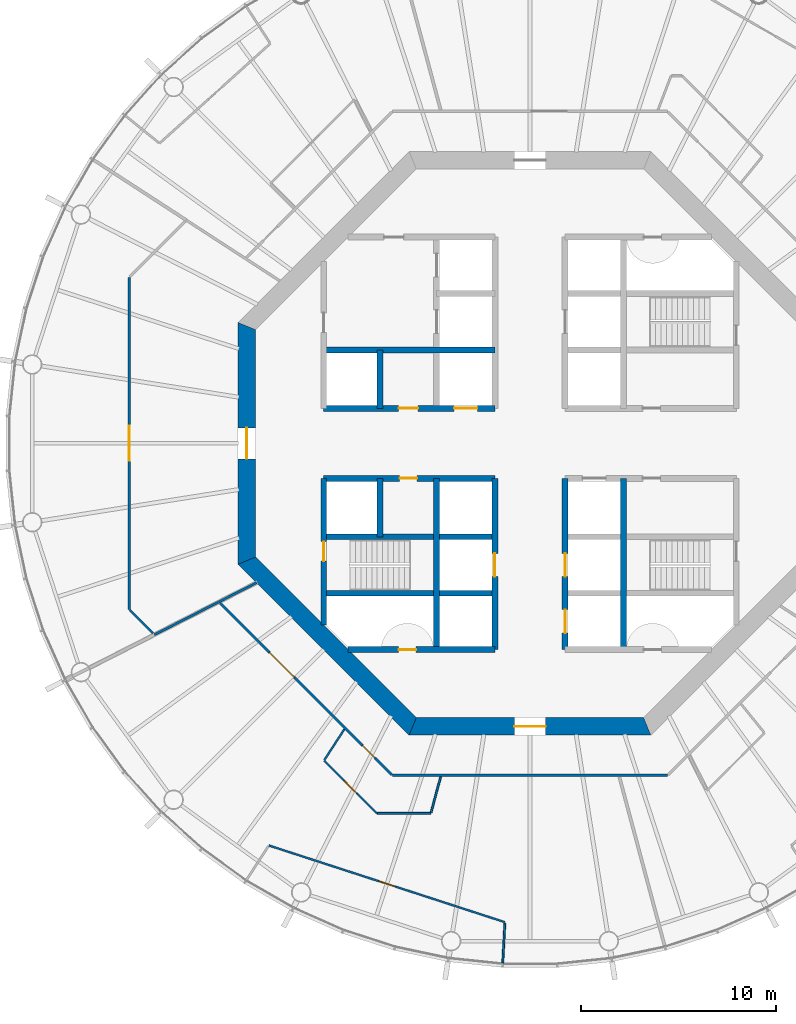
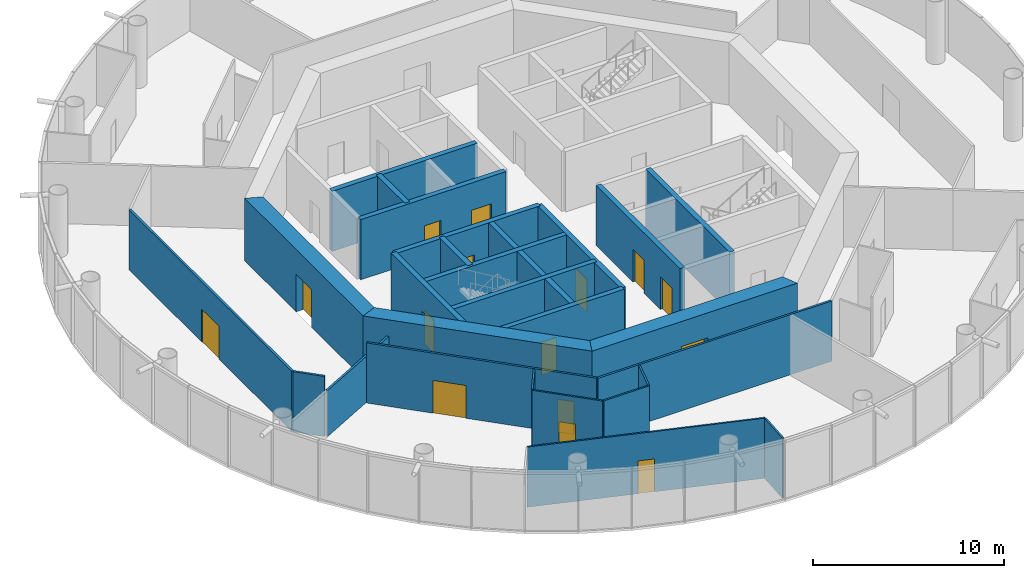
# One storey, part 3 of 13: 27 walls, 15 doors, 15 openings.
"""IFC4 building model written with IfcOpenShell, lengths in metres."""

import ifcopenshell
import ifcopenshell.guid

model = None  # the IFC model being written
_history = None  # IfcOwnerHistory: only IFC2X3 demands one
_inside = {}  # id of a spatial element -> (the spatial element, [elements in it])
_under = {}  # id of a project, library or spatial element -> (it, [spatial elements below it])
_declared = {}  # id of a project -> (the project, [libraries it declares])
_typed = {}  # id of a type object -> (the type object, [elements of that type])
_made_of = {}  # id of a material, layer set ... -> (it, [elements and type objects made of it])


def new_model(schema):
    """Start an empty IFC model of exactly this schema.

    Asked for "IFC4X3", IfcOpenShell would pick the latest addendum, in which some entities
    have other attributes; the version numbers below select the first issue.
    IFC2X3 requires an IfcOwnerHistory on every rooted entity: one is made here for all.
    """
    global model, _history
    if schema == "IFC4X3":
        model = ifcopenshell.file(schema_version=(4, 3, 0, 0))
    else:
        model = ifcopenshell.file(schema=schema)
    _inside.clear()
    _under.clear()
    _declared.clear()
    _typed.clear()
    _made_of.clear()
    _history = None
    if model.schema == "IFC2X3":
        org = make("IfcOrganization", Name="unknown")
        user = make(
            "IfcPersonAndOrganization",
            ThePerson=make("IfcPerson", FamilyName="unknown"),
            TheOrganization=org,
        )
        app = make(
            "IfcApplication",
            ApplicationDeveloper=org,
            Version="unknown",
            ApplicationFullName="unknown",
            ApplicationIdentifier="unknown",
        )
        _history = make(
            "IfcOwnerHistory",
            OwningUser=user,
            OwningApplication=app,
            ChangeAction="ADDED",
            CreationDate=0,
        )
    return model


def make(cls, **values):
    """One entity of the class cls with the attributes given. An attribute that is None is left unset."""
    return model.create_entity(
        cls, **{name: value for name, value in values.items() if value is not None}
    )


def rooted(cls, **values):
    """An entity with a GlobalId (a new one), such as an element, a storey or a relation."""
    return make(cls, GlobalId=ifcopenshell.guid.new(), OwnerHistory=_history, **values)


def si_unit(unit_type, name, prefix=None):
    """IfcSIUnit, for example si_unit("LENGTHUNIT", "METRE", prefix="MILLI")."""
    return make("IfcSIUnit", UnitType=unit_type, Prefix=prefix, Name=name)


def assignment(units):
    """IfcUnitAssignment: the units of a project."""
    return None if units is None else make("IfcUnitAssignment", Units=units)


def point(xyz):
    """IfcCartesianPoint."""
    return None if xyz is None else make("IfcCartesianPoint", Coordinates=xyz)


def direction(xyz):
    """IfcDirection."""
    return None if xyz is None else make("IfcDirection", DirectionRatios=xyz)


def frame(location, z_axis=None, x_axis=None):
    """IfcAxis2Placement3D, a coordinate frame: its origin and axes. An axis left out is left unset."""
    return make(
        "IfcAxis2Placement3D",
        Location=point(location),
        Axis=direction(z_axis),
        RefDirection=direction(x_axis),
    )


def frame_2d(location, x_axis=None):
    """IfcAxis2Placement2D, a coordinate frame in the plane: its origin and x axis."""
    return make(
        "IfcAxis2Placement2D", Location=point(location), RefDirection=direction(x_axis)
    )


def origin():
    """The frame at (0, 0, 0) with its axes left unset."""
    return frame((0.0, 0.0, 0.0))


def place(relative_to, where):
    """IfcLocalPlacement: puts the frame where relative to a parent placement (None: the world)."""
    return make(
        "IfcLocalPlacement", PlacementRelTo=relative_to, RelativePlacement=where
    )


def context(
    kind, dimensions, precision=None, world=None, true_north=None, identifier=None
):
    """IfcGeometricRepresentationContext, for example the 3D "Model" context."""
    return make(
        "IfcGeometricRepresentationContext",
        ContextIdentifier=identifier,
        ContextType=kind,
        CoordinateSpaceDimension=dimensions,
        Precision=precision,
        WorldCoordinateSystem=world,
        TrueNorth=true_north,
    )


def subcontext(parent, identifier, kind, view, scale=None):
    """IfcGeometricRepresentationSubContext, for example "Body" below "Model"."""
    return make(
        "IfcGeometricRepresentationSubContext",
        ContextIdentifier=identifier,
        ContextType=kind,
        ParentContext=parent,
        TargetScale=scale,
        TargetView=view,
    )


def project(units=None, contexts=None):
    """IfcProject with its units and contexts."""
    return rooted(
        "IfcProject",
        Name="project",
        RepresentationContexts=contexts,
        UnitsInContext=assignment(units),
    )


def spatial(cls, under=None, at=None, **own):
    """A site, building, storey or space (cls), placed at a placement, below another one or the project."""
    s = rooted(cls, ObjectPlacement=at, **own)
    if under is not None:
        _under.setdefault(under.id(), (under, []))[1].append(s)
    return s


def polyline(points):
    """IfcPolyline through the points."""
    return make("IfcPolyline", Points=[point(p) for p in points])


def profile(cls, at=None, kind="AREA", **sizes):
    """A parametric profile (cls). Its sizes go by their IFC names, for example OverallWidth=200.0."""
    return make(cls, ProfileType=kind, Position=at, **sizes)


def rectangle(**sizes):
    """IfcRectangleProfileDef."""
    return profile("IfcRectangleProfileDef", **sizes)


def outline(outer, holes=None, kind="AREA"):
    """IfcArbitraryClosedProfileDef: a profile drawn as a closed curve; with holes, ...WithVoids."""
    if holes is None:
        return make("IfcArbitraryClosedProfileDef", ProfileType=kind, OuterCurve=outer)
    return make(
        "IfcArbitraryProfileDefWithVoids",
        ProfileType=kind,
        OuterCurve=outer,
        InnerCurves=holes,
    )


def extrude(swept, where, along, depth):
    """IfcExtrudedAreaSolid: the profile swept, set in the frame where, extruded along a direction by depth."""
    return make(
        "IfcExtrudedAreaSolid",
        SweptArea=swept,
        Position=where,
        ExtrudedDirection=direction(along),
        Depth=depth,
    )


def shape(context_of_items, identifier, shape_type, items):
    """IfcShapeRepresentation: the items that make up one representation, for example the "Body"."""
    return make(
        "IfcShapeRepresentation",
        ContextOfItems=context_of_items,
        RepresentationIdentifier=identifier,
        RepresentationType=shape_type,
        Items=items,
    )


def material(Name=None, Category=None):
    """IfcMaterial."""
    return make("IfcMaterial", Name=Name, Category=Category)


def layer(
    of_material, thickness, ventilated=None, Name=None, Category=None, Priority=None
):
    """IfcMaterialLayer: one layer of a wall or slab, of a material (None: an air gap)."""
    return make(
        "IfcMaterialLayer",
        Material=of_material,
        LayerThickness=thickness,
        IsVentilated=ventilated,
        Name=Name,
        Category=Category,
        Priority=Priority,
    )


def layer_set(layers, Name=None):
    """IfcMaterialLayerSet."""
    return make("IfcMaterialLayerSet", MaterialLayers=layers, LayerSetName=Name)


def made_of(thing, what):
    """Note that an element or type object is made of a material, layer set ...; save() writes the relation."""
    if what is not None:
        _made_of.setdefault(what.id(), (what, []))[1].append(thing)
    return thing


def type_object(cls, material=None, **own):
    """A type object (cls), such as IfcWallType, which elements share."""
    return made_of(rooted(cls, **own), material)


def element(
    cls,
    number,
    at=None,
    inside=None,
    cuts=None,
    type_object=None,
    material=None,
    context=None,
    identifier="Body",
    shape_type=None,
    held_by="IfcProductDefinitionShape",
    body=None,
    shapes=None,
    **own,
):
    """One element of the class cls, such as IfcWall. Its Tag is "e" and its number.

    at: its placement. inside: the storey or other place that contains it. cuts: it is an
    opening in that element (IfcRelVoidsElement). A single representation is given by context,
    identifier, shape_type and body (its items); several are given by shapes. held_by: the class
    of the entity that holds the representations. save() writes the other relations.
    """
    e = rooted(cls, Tag="e%d" % number, ObjectPlacement=at, **own)
    if body is not None:
        shapes = [shape(context, identifier, shape_type, body)]
    if shapes is not None:
        e.Representation = make(held_by, Representations=shapes)
    if inside is not None:
        _inside.setdefault(inside.id(), (inside, []))[1].append(e)
    if cuts is not None:
        rooted(
            "IfcRelVoidsElement", RelatingBuildingElement=cuts, RelatedOpeningElement=e
        )
    if type_object is not None:
        _typed.setdefault(type_object.id(), (type_object, []))[1].append(e)
    return made_of(e, material)


def fill(opening, filler):
    """IfcRelFillsElement: the door or window that sits in an opening."""
    return rooted(
        "IfcRelFillsElement",
        RelatingOpeningElement=opening,
        RelatedBuildingElement=filler,
    )


def aggregate(whole, parts):
    """IfcRelAggregates: a whole, such as a stair, and the parts it consists of."""
    return rooted("IfcRelAggregates", RelatingObject=whole, RelatedObjects=parts)


def save(model, path):
    """Write the relations noted so far, then the file.

    IfcRelAggregates (storeys below a building ...), IfcRelContainedInSpatialStructure (elements
    in a storey), IfcRelDefinesByType, IfcRelAssociatesMaterial and IfcRelDeclares: one each for
    every whole, place, type object, material and project.
    """
    for whole, parts in _under.values():
        aggregate(whole, parts)
    for where, things in _inside.values():
        rooted(
            "IfcRelContainedInSpatialStructure",
            RelatedElements=things,
            RelatingStructure=where,
        )
    for kind, things in _typed.values():
        rooted("IfcRelDefinesByType", RelatedObjects=things, RelatingType=kind)
    for what, things in _made_of.values():
        rooted("IfcRelAssociatesMaterial", RelatedObjects=things, RelatingMaterial=what)
    for by, libraries in _declared.values():
        rooted("IfcRelDeclares", RelatingContext=by, RelatedDefinitions=libraries)
    model.write(path)


model = new_model("IFC4")

# Units and contexts
model_context = context("Model", 3, precision=1e-05, world=origin(), true_north=direction((0.0, 1.0)))
body_context = subcontext(model_context, "Body", "Model", "MODEL_VIEW")
ifc_project = project(units=[si_unit("LENGTHUNIT", "METRE"), si_unit("AREAUNIT", "SQUARE_METRE"), si_unit("VOLUMEUNIT", "CUBIC_METRE"), si_unit("PLANEANGLEUNIT", "RADIAN"), si_unit("MASSUNIT", "GRAM", prefix="KILO")], contexts=[model_context])

# Site, building, storey
site_placement = place(None, origin())
site = spatial("IfcSite", under=ifc_project, at=site_placement, CompositionType="ELEMENT")
building_placement = place(site_placement, origin())
building = spatial("IfcBuilding", under=site, at=building_placement, Name="Entoto Ring Tower", CompositionType="ELEMENT")
storey_placement = place(building_placement, frame((0.0, 0.0, 226.0)))
storey = spatial("IfcBuildingStorey", under=building, at=storey_placement, Name="L52", CompositionType="ELEMENT", Elevation=226.0)

# Wall
ifc_material_1 = material(Name="Concrete C40/50", Category="concrete")
ifc_layer_1 = layer(ifc_material_1, 0.300048828125)
ifc_layer_set_1 = layer_set([ifc_layer_1], Name="Concrete C40/50")
wall_type_1 = type_object("IfcWallType", Name="Core enclosure wall 300 mm reinforced concrete", PredefinedType="SOLIDWALL", material=ifc_layer_set_1)
wall_1_placement = place(storey_placement, frame((94.800048828125, 69.39990234375, 0.0), z_axis=(0.0, 0.0, 1.0), x_axis=(0.0, 1.0, 0.0)))
element("IfcWall", 1, at=wall_1_placement, inside=storey, type_object=wall_type_1, Name="wall-L52-003", PredefinedType="SOLIDWALL", context=body_context, shape_type="SweptSolid", body=[
    extrude(rectangle(XDim=8.800048828125, YDim=0.300048828125, at=frame_2d((4.39990234375, 0.0))), origin(), (0.0, 0.0, 1.0), 3.85009765625),
])

# Wall, openings, doors
wall_2_placement = place(storey_placement, frame((91.800048828125, 69.39990234375, 0.0), z_axis=(0.0, 0.0, 1.0), x_axis=(0.0, 1.0, 0.0)))
wall_2 = element("IfcWall", 2, at=wall_2_placement, inside=storey, type_object=wall_type_1, Name="wall-L52-005", PredefinedType="SOLIDWALL", context=body_context, shape_type="SweptSolid", body=[
    extrude(rectangle(XDim=8.800048828125, YDim=0.300048828125, at=frame_2d((4.39990234375, 0.0))), origin(), (0.0, 0.0, 1.0), 3.85009765625),
])
opening_1_placement = place(wall_2_placement, frame((3.75, 0.0, 0.0)))
opening_1 = element("IfcOpeningElement", 3, at=opening_1_placement, cuts=wall_2, Name="Opening LD", PredefinedType="OPENING", context=body_context, shape_type="SweptSolid", body=[
    extrude(rectangle(XDim=1.199951171875, YDim=2.10009765625, at=frame_2d((0.60009765625, 1.050048828125))), frame((0.0, 0.16015625, 0.0), z_axis=(0.0, -1.0, 0.0), x_axis=(1.0, 0.0, 0.0)), (0.0, 0.0, 1.0), 0.320068359375),
])
opening_2_placement = place(wall_2_placement, frame((0.85009765625, 0.0, 0.0)))
opening_2 = element("IfcOpeningElement", 4, at=opening_2_placement, cuts=wall_2, Name="Opening LD", PredefinedType="OPENING", context=body_context, shape_type="SweptSolid", body=[
    extrude(rectangle(XDim=1.199951171875, YDim=2.10009765625, at=frame_2d((0.60009765625, 1.050048828125))), frame((0.0, 0.16015625, 0.0), z_axis=(0.0, -1.0, 0.0), x_axis=(1.0, 0.0, 0.0)), (0.0, 0.0, 1.0), 0.320068359375),
])
ifc_material_2 = material(Name="Steel and glass door leaf", Category="steel")
ifc_layer_2 = layer(ifc_material_2, 0.050048828125)
ifc_layer_set_2 = layer_set([ifc_layer_2], Name="Steel and glass door leaf")
door_type_1 = type_object("IfcDoorType", Name="Landing door 1200 x 2100 sliding", OperationType="DOUBLE_DOOR_SLIDING", PredefinedType="DOOR", material=ifc_layer_set_2)
door_1_placement = place(opening_1_placement, origin())
door_1 = element("IfcDoor", 5, at=door_1_placement, inside=storey, type_object=door_type_1, Name="Landing door LB2-MR", OperationType="SLIDING_TO_RIGHT", OverallHeight=2.10009765625, OverallWidth=1.199951171875, PredefinedType="DOOR", context=body_context, shape_type="SweptSolid", body=[
    extrude(rectangle(XDim=1.199951171875, YDim=2.10009765625, at=frame_2d((0.60009765625, 1.050048828125))), frame((0.0, 0.02490234375, 0.0), z_axis=(0.0, -1.0, 0.0), x_axis=(1.0, 0.0, 0.0)), (0.0, 0.0, 1.0), 0.050048828125),
])
fill(opening_1, door_1)
door_2_placement = place(opening_2_placement, origin())
door_2 = element("IfcDoor", 6, at=door_2_placement, inside=storey, type_object=door_type_1, Name="Landing door LB3-MR", OperationType="SLIDING_TO_RIGHT", OverallHeight=2.10009765625, OverallWidth=1.199951171875, PredefinedType="DOOR", context=body_context, shape_type="SweptSolid", body=[
    extrude(rectangle(XDim=1.199951171875, YDim=2.10009765625, at=frame_2d((0.60009765625, 1.050048828125))), frame((0.0, 0.02490234375, 0.0), z_axis=(0.0, -1.0, 0.0), x_axis=(1.0, 0.0, 0.0)), (0.0, 0.0, 1.0), 0.050048828125),
])
fill(opening_2, door_2)

# Wall, opening, door
wall_3_placement = place(storey_placement, frame((88.199951171875, 69.39990234375, 0.0), z_axis=(0.0, 0.0, 1.0), x_axis=(0.0, 1.0, 0.0)))
wall_3 = element("IfcWall", 7, at=wall_3_placement, inside=storey, type_object=wall_type_1, Name="wall-L52-007", PredefinedType="SOLIDWALL", context=body_context, shape_type="SweptSolid", body=[
    extrude(rectangle(XDim=8.800048828125, YDim=0.300048828125, at=frame_2d((4.39990234375, 0.0))), origin(), (0.0, 0.0, 1.0), 3.85009765625),
])
opening_3_placement = place(wall_3_placement, frame((3.75, 0.0, 0.0)))
opening_3 = element("IfcOpeningElement", 8, at=opening_3_placement, cuts=wall_3, Name="Opening LD", PredefinedType="OPENING", context=body_context, shape_type="SweptSolid", body=[
    extrude(rectangle(XDim=1.199951171875, YDim=2.10009765625, at=frame_2d((0.60009765625, 1.050048828125))), frame((0.0, 0.16015625, 0.0), z_axis=(0.0, -1.0, 0.0), x_axis=(1.0, 0.0, 0.0)), (0.0, 0.0, 1.0), 0.320068359375),
])
door_3_placement = place(opening_3_placement, origin())
door_3 = element("IfcDoor", 9, at=door_3_placement, inside=storey, type_object=door_type_1, Name="Landing door LB4-MR", OperationType="SLIDING_TO_RIGHT", OverallHeight=2.10009765625, OverallWidth=1.199951171875, PredefinedType="DOOR", context=body_context, shape_type="SweptSolid", body=[
    extrude(rectangle(XDim=1.199951171875, YDim=2.10009765625, at=frame_2d((0.60009765625, 1.050048828125))), frame((0.0, 0.02490234375, 0.0), z_axis=(0.0, -1.0, 0.0), x_axis=(1.0, 0.0, 0.0)), (0.0, 0.0, 1.0), 0.050048828125),
])
fill(opening_3, door_3)

# Walls
wall_4_placement = place(storey_placement, frame((85.199951171875, 69.39990234375, 0.0), z_axis=(0.0, 0.0, 1.0), x_axis=(0.0, 1.0, 0.0)))
element("IfcWall", 10, at=wall_4_placement, inside=storey, type_object=wall_type_1, Name="wall-L52-009", PredefinedType="SOLIDWALL", context=body_context, shape_type="SweptSolid", body=[
    extrude(rectangle(XDim=8.800048828125, YDim=0.300048828125, at=frame_2d((4.39990234375, 0.0))), origin(), (0.0, 0.0, 1.0), 3.85009765625),
])
for number, where, z_axis, x_axis, name in (
    (11, (82.300048828125, 75.199951171875, 0.0), (0.0, 0.0, 1.0), (0.0, 1.0, 0.0), "wall-L52-011"),
    (12, (82.300048828125, 81.800048828125, 0.0), (0.0, 0.0, 1.0), (0.0, 1.0, 0.0), "wall-L52-012"),
):
    element("IfcWall", number, at=place(storey_placement, frame(where, z_axis=z_axis, x_axis=x_axis)), inside=storey, type_object=wall_type_1, Name=name, PredefinedType="SOLIDWALL", context=body_context, shape_type="SweptSolid", body=[
        extrude(rectangle(XDim=3.0, YDim=0.300048828125, at=frame_2d((1.5, 0.0))), origin(), (0.0, 0.0, 1.0), 3.85009765625),
    ])

# Wall, opening, door
wall_5_placement = place(storey_placement, frame((79.39990234375, 70.65966796875, 0.0), z_axis=(0.0, 0.0, 1.0), x_axis=(0.0, 1.0, 0.0)))
wall_5 = element("IfcWall", 13, at=wall_5_placement, inside=storey, type_object=wall_type_1, Name="wall-L52-013", PredefinedType="SOLIDWALL", context=body_context, shape_type="SweptSolid", body=[
    extrude(rectangle(XDim=7.540283203125, YDim=0.300048828125, at=frame_2d((3.77001953125, 0.0))), origin(), (0.0, 0.0, 1.0), 3.85009765625),
])
opening_4_placement = place(wall_5_placement, frame((3.290283203125, 0.0, 0.0)))
opening_4 = element("IfcOpeningElement", 14, at=opening_4_placement, cuts=wall_5, Name="Opening K-55", PredefinedType="OPENING", context=body_context, shape_type="SweptSolid", body=[
    extrude(rectangle(XDim=1.0, YDim=2.10009765625, at=frame_2d((0.5, 1.050048828125))), frame((0.0, 0.16015625, 0.0), z_axis=(0.0, -1.0, 0.0), x_axis=(1.0, 0.0, 0.0)), (0.0, 0.0, 1.0), 0.320068359375),
])
ifc_material_3 = material(Name="Steel door leaf, fire rated", Category="steel")
ifc_layer_3 = layer(ifc_material_3, 0.050048828125)
ifc_layer_set_3 = layer_set([ifc_layer_3], Name="Steel door leaf, fire rated")
door_type_2 = type_object("IfcDoorType", Name="Fire door FD60 1000 x 2100 single leaf", OperationType="NOTDEFINED", PredefinedType="DOOR", material=ifc_layer_set_3)
door_4_placement = place(opening_4_placement, frame((1.0, 0.0, 0.0), z_axis=(0.0, 0.0, 1.0), x_axis=(-1.0, 0.0, 0.0)))
door_4 = element("IfcDoor", 15, at=door_4_placement, inside=storey, type_object=door_type_2, Name="Door K-55", OperationType="SINGLE_SWING_LEFT", OverallHeight=2.10009765625, OverallWidth=1.0, PredefinedType="DOOR", context=body_context, shape_type="SweptSolid", body=[
    extrude(rectangle(XDim=1.0, YDim=2.10009765625, at=frame_2d((0.5, 1.050048828125))), frame((0.0, 0.02490234375, 0.0), z_axis=(0.0, -1.0, 0.0), x_axis=(1.0, 0.0, 0.0)), (0.0, 0.0, 1.0), 0.050048828125),
])
fill(opening_4, door_4)

wall_6_placement = place(storey_placement, frame((80.65966796875, 69.39990234375, 0.0), z_axis=(0.0, 0.0, 1.0), x_axis=(1.0, 0.0, 0.0)))
wall_6 = element("IfcWall", 16, at=wall_6_placement, inside=storey, type_object=wall_type_1, Name="wall-L52-015", PredefinedType="SOLIDWALL", context=body_context, shape_type="SweptSolid", body=[
    extrude(rectangle(XDim=7.540283203125, YDim=0.300048828125, at=frame_2d((3.77001953125, 0.0))), origin(), (0.0, 0.0, 1.0), 3.85009765625),
])
opening_5_placement = place(wall_6_placement, frame((2.59033203125, 0.0, 0.0)))
opening_5 = element("IfcOpeningElement", 17, at=opening_5_placement, cuts=wall_6, Name="Opening K-62", PredefinedType="OPENING", context=body_context, shape_type="SweptSolid", body=[
    extrude(rectangle(XDim=0.89990234375, YDim=2.10009765625, at=frame_2d((0.449951171875, 1.050048828125))), frame((0.0, 0.16015625, 0.0), z_axis=(0.0, -1.0, 0.0), x_axis=(1.0, 0.0, 0.0)), (0.0, 0.0, 1.0), 0.320068359375),
])
ifc_material_4 = material(Name="Steel door leaf, fire rated", Category="steel")
ifc_layer_4 = layer(ifc_material_4, 0.050048828125)
ifc_layer_set_4 = layer_set([ifc_layer_4], Name="Steel door leaf, fire rated")
door_type_3 = type_object("IfcDoorType", Name="Riser door FD60 900 x 2100 single leaf", OperationType="NOTDEFINED", PredefinedType="DOOR", material=ifc_layer_set_4)
door_5_placement = place(opening_5_placement, origin())
door_5 = element("IfcDoor", 18, at=door_5_placement, inside=storey, type_object=door_type_3, Name="Door K-62", OperationType="SINGLE_SWING_RIGHT", OverallHeight=2.10009765625, OverallWidth=0.89990234375, PredefinedType="DOOR", context=body_context, shape_type="SweptSolid", body=[
    extrude(rectangle(XDim=0.89990234375, YDim=2.10009765625, at=frame_2d((0.449951171875, 1.050048828125))), frame((0.0, 0.02490234375, 0.0), z_axis=(0.0, -1.0, 0.0), x_axis=(1.0, 0.0, 0.0)), (0.0, 0.0, 1.0), 0.050048828125),
])
fill(opening_5, door_5)

# Walls
for number, where, z_axis, x_axis, name in (
    (19, (79.39990234375, 72.300048828125, 0.0), (0.0, 0.0, 1.0), (1.0, 0.0, 0.0), "wall-L52-017"),
    (20, (79.39990234375, 75.199951171875, 0.0), (0.0, 0.0, 1.0), (1.0, 0.0, 0.0), "wall-L52-019"),
):
    element("IfcWall", number, at=place(storey_placement, frame(where, z_axis=z_axis, x_axis=x_axis)), inside=storey, type_object=wall_type_1, Name=name, PredefinedType="SOLIDWALL", context=body_context, shape_type="SweptSolid", body=[
        extrude(rectangle(XDim=8.800048828125, YDim=0.300048828125, at=frame_2d((4.39990234375, 0.0))), origin(), (0.0, 0.0, 1.0), 3.85009765625),
    ])

# Wall, opening, door
wall_7_placement = place(storey_placement, frame((79.39990234375, 78.199951171875, 0.0), z_axis=(0.0, 0.0, 1.0), x_axis=(1.0, 0.0, 0.0)))
wall_7 = element("IfcWall", 21, at=wall_7_placement, inside=storey, type_object=wall_type_1, Name="wall-L52-021", PredefinedType="SOLIDWALL", context=body_context, shape_type="SweptSolid", body=[
    extrude(rectangle(XDim=8.800048828125, YDim=0.300048828125, at=frame_2d((4.39990234375, 0.0))), origin(), (0.0, 0.0, 1.0), 3.85009765625),
])
opening_6_placement = place(wall_7_placement, frame((3.89990234375, 0.0, 0.0)))
opening_6 = element("IfcOpeningElement", 22, at=opening_6_placement, cuts=wall_7, Name="Opening K-14", PredefinedType="OPENING", context=body_context, shape_type="SweptSolid", body=[
    extrude(rectangle(XDim=0.89990234375, YDim=2.10009765625, at=frame_2d((0.449951171875, 1.050048828125))), frame((0.0, 0.16015625, 0.0), z_axis=(0.0, -1.0, 0.0), x_axis=(1.0, 0.0, 0.0)), (0.0, 0.0, 1.0), 0.320068359375),
])
ifc_material_5 = material(Name="Steel door leaf, fire rated", Category="steel")
ifc_layer_5 = layer(ifc_material_5, 0.050048828125)
ifc_layer_set_5 = layer_set([ifc_layer_5], Name="Steel door leaf, fire rated")
door_type_4 = type_object("IfcDoorType", Name="Core door 900 x 2100 single leaf", OperationType="NOTDEFINED", PredefinedType="DOOR", material=ifc_layer_set_5)
door_6_placement = place(opening_6_placement, frame((0.89990234375, 0.0, 0.0), z_axis=(0.0, 0.0, 1.0), x_axis=(-1.0, 0.0, 0.0)))
door_6 = element("IfcDoor", 23, at=door_6_placement, inside=storey, type_object=door_type_4, Name="Door K-14", OperationType="SINGLE_SWING_LEFT", OverallHeight=2.10009765625, OverallWidth=0.89990234375, PredefinedType="DOOR", context=body_context, shape_type="SweptSolid", body=[
    extrude(rectangle(XDim=0.89990234375, YDim=2.10009765625, at=frame_2d((0.449951171875, 1.050048828125))), frame((0.0, 0.02490234375, 0.0), z_axis=(0.0, -1.0, 0.0), x_axis=(1.0, 0.0, 0.0)), (0.0, 0.0, 1.0), 0.050048828125),
])
fill(opening_6, door_6)

# Wall, openings, doors
wall_8_placement = place(storey_placement, frame((79.39990234375, 81.800048828125, 0.0), z_axis=(0.0, 0.0, 1.0), x_axis=(1.0, 0.0, 0.0)))
wall_8 = element("IfcWall", 24, at=wall_8_placement, inside=storey, type_object=wall_type_1, Name="wall-L52-023", PredefinedType="SOLIDWALL", context=body_context, shape_type="SweptSolid", body=[
    extrude(rectangle(XDim=8.800048828125, YDim=0.300048828125, at=frame_2d((4.39990234375, 0.0))), origin(), (0.0, 0.0, 1.0), 3.85009765625),
])
opening_7_placement = place(wall_8_placement, frame((6.699951171875, 0.0, 0.0)))
opening_7 = element("IfcOpeningElement", 25, at=opening_7_placement, cuts=wall_8, Name="Opening LD", PredefinedType="OPENING", context=body_context, shape_type="SweptSolid", body=[
    extrude(rectangle(XDim=1.199951171875, YDim=2.10009765625, at=frame_2d((0.60009765625, 1.050048828125))), frame((0.0, 0.16015625, 0.0), z_axis=(0.0, -1.0, 0.0), x_axis=(1.0, 0.0, 0.0)), (0.0, 0.0, 1.0), 0.320068359375),
])
opening_8_placement = place(wall_8_placement, frame((3.85009765625, 0.0, 0.0)))
opening_8 = element("IfcOpeningElement", 26, at=opening_8_placement, cuts=wall_8, Name="Opening K-13", PredefinedType="OPENING", context=body_context, shape_type="SweptSolid", body=[
    extrude(rectangle(XDim=1.0, YDim=2.10009765625, at=frame_2d((0.5, 1.050048828125))), frame((0.0, 0.16015625, 0.0), z_axis=(0.0, -1.0, 0.0), x_axis=(1.0, 0.0, 0.0)), (0.0, 0.0, 1.0), 0.320068359375),
])
ifc_material_6 = material(Name="Steel door leaf, fire rated", Category="steel")
ifc_layer_6 = layer(ifc_material_6, 0.050048828125)
ifc_layer_set_6 = layer_set([ifc_layer_6], Name="Steel door leaf, fire rated")
door_type_5 = type_object("IfcDoorType", Name="Accessible door 1000 x 2100 single leaf", OperationType="NOTDEFINED", PredefinedType="DOOR", material=ifc_layer_set_6)
door_7_placement = place(opening_8_placement, origin())
door_7 = element("IfcDoor", 27, at=door_7_placement, inside=storey, type_object=door_type_5, Name="Door K-13", OperationType="SINGLE_SWING_LEFT", OverallHeight=2.10009765625, OverallWidth=1.0, PredefinedType="DOOR", context=body_context, shape_type="SweptSolid", body=[
    extrude(rectangle(XDim=1.0, YDim=2.10009765625, at=frame_2d((0.5, 1.050048828125))), frame((0.0, 0.02490234375, 0.0), z_axis=(0.0, -1.0, 0.0), x_axis=(1.0, 0.0, 0.0)), (0.0, 0.0, 1.0), 0.050048828125),
])
fill(opening_8, door_7)
door_8_placement = place(opening_7_placement, origin())
door_8 = element("IfcDoor", 28, at=door_8_placement, inside=storey, type_object=door_type_1, Name="Landing door LB5-MR", OperationType="SLIDING_TO_LEFT", OverallHeight=2.10009765625, OverallWidth=1.199951171875, PredefinedType="DOOR", context=body_context, shape_type="SweptSolid", body=[
    extrude(rectangle(XDim=1.199951171875, YDim=2.10009765625, at=frame_2d((0.60009765625, 1.050048828125))), frame((0.0, 0.02490234375, 0.0), z_axis=(0.0, -1.0, 0.0), x_axis=(1.0, 0.0, 0.0)), (0.0, 0.0, 1.0), 0.050048828125),
])
fill(opening_7, door_8)

# Wall
wall_9_placement = place(storey_placement, frame((79.39990234375, 84.800048828125, 0.0), z_axis=(0.0, 0.0, 1.0), x_axis=(1.0, 0.0, 0.0)))
element("IfcWall", 29, at=wall_9_placement, inside=storey, type_object=wall_type_1, Name="wall-L52-025", PredefinedType="SOLIDWALL", context=body_context, shape_type="SweptSolid", body=[
    extrude(rectangle(XDim=8.800048828125, YDim=0.300048828125, at=frame_2d((4.39990234375, 0.0))), origin(), (0.0, 0.0, 1.0), 3.85009765625),
])

# Wall, opening, door
ifc_material_7 = material(Name="Concrete C50/60", Category="concrete")
ifc_layer_7 = layer(ifc_material_7, 0.89990234375)
ifc_layer_set_7 = layer_set([ifc_layer_7], Name="Concrete C50/60")
wall_type_2 = type_object("IfcWallType", Name="Core shear wall 900 mm reinforced concrete C50/60", PredefinedType="SHEAR", material=ifc_layer_set_7)
wall_10_placement = place(storey_placement, frame((75.449951171875, 86.02685546875, 0.0), z_axis=(0.0, 0.0, 1.0), x_axis=(0.0, -1.0, 0.0)))
wall_10 = element("IfcWall", 30, at=wall_10_placement, inside=storey, type_object=wall_type_2, Name="wall-L52-core-4", PredefinedType="SHEAR", context=body_context, shape_type="SweptSolid", body=[
    extrude(outline(polyline([(-0.186279296875, -0.449951171875), (12.239990234375, -0.449951171875), (11.867431640625, 0.449951171875), (0.186279296875, 0.449951171875), (-0.186279296875, -0.449951171875)])), origin(), (0.0, 0.0, 1.0), 4.0),
])
opening_9_placement = place(wall_10_placement, frame((5.226806640625, 0.0, 0.0)))
opening_9 = element("IfcOpeningElement", 31, at=opening_9_placement, cuts=wall_10, Name="Opening K-03", PredefinedType="OPENING", context=body_context, shape_type="SweptSolid", body=[
    extrude(rectangle(XDim=1.60009765625, YDim=2.39990234375, at=frame_2d((0.800048828125, 1.199951171875))), frame((0.0, 0.4599609375, 0.0), z_axis=(0.0, -1.0, 0.0), x_axis=(1.0, 0.0, 0.0)), (0.0, 0.0, 1.0), 0.919921875),
])
ifc_material_8 = material(Name="Steel door leaf, fire rated", Category="steel")
ifc_layer_8 = layer(ifc_material_8, 0.050048828125)
ifc_layer_set_8 = layer_set([ifc_layer_8], Name="Steel door leaf, fire rated")
door_type_6 = type_object("IfcDoorType", Name="Entrance door FD60 1600 x 2400 double leaf", OperationType="DOUBLE_DOOR_SINGLE_SWING", PredefinedType="DOOR", material=ifc_layer_set_8)
door_9_placement = place(opening_9_placement, origin())
door_9 = element("IfcDoor", 32, at=door_9_placement, inside=storey, type_object=door_type_6, Name="Entrance door K-03", OperationType="DOUBLE_DOOR_SINGLE_SWING", OverallHeight=2.39990234375, OverallWidth=1.60009765625, PredefinedType="DOOR", context=body_context, shape_type="SweptSolid", body=[
    extrude(rectangle(XDim=1.60009765625, YDim=2.39990234375, at=frame_2d((0.800048828125, 1.199951171875))), frame((0.0, 0.02490234375, 0.0), z_axis=(0.0, -1.0, 0.0), x_axis=(1.0, 0.0, 0.0)), (0.0, 0.0, 1.0), 0.050048828125),
])
fill(opening_9, door_9)

# Wall
wall_11_placement = place(storey_placement, frame((75.449951171875, 73.97314453125, 0.0), z_axis=(0.0, 0.0, 1.0), x_axis=(0.707106781187, -0.707106781187, 0.0)))
element("IfcWall", 33, at=wall_11_placement, inside=storey, type_object=wall_type_2, Name="wall-L52-core-5", PredefinedType="SHEAR", context=body_context, shape_type="SweptSolid", body=[
    extrude(outline(polyline([(-0.186279296875, -0.449951171875), (12.239990234375, -0.449951171875), (11.867431640625, 0.449951171875), (0.186279296875, 0.449951171875), (-0.186279296875, -0.449951171875)])), origin(), (0.0, 0.0, 1.0), 4.0),
])

# Wall, opening, door
wall_12_placement = place(storey_placement, frame((83.97314453125, 65.449951171875, 0.0), z_axis=(0.0, 0.0, 1.0), x_axis=(1.0, 0.0, 0.0)))
wall_12 = element("IfcWall", 34, at=wall_12_placement, inside=storey, type_object=wall_type_2, Name="wall-L52-core-6", PredefinedType="SHEAR", context=body_context, shape_type="SweptSolid", body=[
    extrude(outline(polyline([(-0.186279296875, -0.449951171875), (12.239990234375, -0.449951171875), (11.867431640625, 0.449951171875), (0.186279296875, 0.449951171875), (-0.186279296875, -0.449951171875)])), origin(), (0.0, 0.0, 1.0), 4.0),
])
opening_10_placement = place(wall_12_placement, frame((5.226806640625, 0.0, 0.0)))
opening_10 = element("IfcOpeningElement", 35, at=opening_10_placement, cuts=wall_12, Name="Opening K-04", PredefinedType="OPENING", context=body_context, shape_type="SweptSolid", body=[
    extrude(rectangle(XDim=1.60009765625, YDim=2.39990234375, at=frame_2d((0.800048828125, 1.199951171875))), frame((0.0, 0.4599609375, 0.0), z_axis=(0.0, -1.0, 0.0), x_axis=(1.0, 0.0, 0.0)), (0.0, 0.0, 1.0), 0.919921875),
])
door_10_placement = place(opening_10_placement, origin())
door_10 = element("IfcDoor", 36, at=door_10_placement, inside=storey, type_object=door_type_6, Name="Entrance door K-04", OperationType="DOUBLE_DOOR_SINGLE_SWING", OverallHeight=2.39990234375, OverallWidth=1.60009765625, PredefinedType="DOOR", context=body_context, shape_type="SweptSolid", body=[
    extrude(rectangle(XDim=1.60009765625, YDim=2.39990234375, at=frame_2d((0.800048828125, 1.199951171875))), frame((0.0, 0.02490234375, 0.0), z_axis=(0.0, -1.0, 0.0), x_axis=(1.0, 0.0, 0.0)), (0.0, 0.0, 1.0), 0.050048828125),
])
fill(opening_10, door_10)

ifc_material_9 = material(Name="Fire-resisting plasterboard on steel studs", Category="steel")
ifc_layer_9 = layer(ifc_material_9, 0.125)
ifc_layer_set_9 = layer_set([ifc_layer_9], Name="Fire-resisting plasterboard on steel studs")
wall_type_3 = type_object("IfcWallType", Name="Corridor wall 125 mm one-hour plasterboard on steel studs", PredefinedType="PARTITIONING", material=ifc_layer_set_9)
wall_13_placement = place(storey_placement, frame((69.39990234375, 71.46728515625, 0.0), z_axis=(0.0, 0.0, 1.0), x_axis=(0.0, 1.0, 0.0)))
wall_13 = element("IfcWall", 37, at=wall_13_placement, inside=storey, type_object=wall_type_3, Name="partition-L52-001", PredefinedType="PARTITIONING", context=body_context, shape_type="SweptSolid", body=[
    extrude(rectangle(XDim=17.0654296875, YDim=0.125, at=frame_2d((8.53271484375, 0.0))), origin(), (0.0, 0.0, 1.0), 3.85009765625),
])
opening_11_placement = place(wall_13_placement, frame((7.6328125, 0.0, 0.0)))
opening_11 = element("IfcOpeningElement", 38, at=opening_11_placement, cuts=wall_13, Name="Opening A22-D02", PredefinedType="OPENING", context=body_context, shape_type="SweptSolid", body=[
    extrude(rectangle(XDim=1.800048828125, YDim=2.10009765625, at=frame_2d((0.89990234375, 1.050048828125))), frame((0.0, 0.072509765625, 0.0), z_axis=(0.0, -1.0, 0.0), x_axis=(1.0, 0.0, 0.0)), (0.0, 0.0, 1.0), 0.14501953125),
])
ifc_material_10 = material(Name="Fire-resisting timber door set", Category="wood")
door_type_7 = type_object("IfcDoorType", Name="Door 1800 x 2100 double leaf FD30S fire door", OperationType="DOUBLE_DOOR_SINGLE_SWING", PredefinedType="DOOR", material=ifc_material_10)
door_11_placement = place(opening_11_placement, origin())
door_11 = element("IfcDoor", 39, at=door_11_placement, inside=storey, type_object=door_type_7, Name="Door A22-D02", OperationType="DOUBLE_DOOR_SINGLE_SWING", OverallHeight=2.10009765625, OverallWidth=1.800048828125, PredefinedType="DOOR", context=body_context, shape_type="SweptSolid", body=[
    extrude(rectangle(XDim=1.800048828125, YDim=2.10009765625, at=frame_2d((0.89990234375, 1.050048828125))), frame((0.0, 0.02490234375, 0.0), z_axis=(0.0, -1.0, 0.0), x_axis=(1.0, 0.0, 0.0)), (0.0, 0.0, 1.0), 0.050048828125),
])
fill(opening_11, door_11)

# Wall
wall_14_placement = place(storey_placement, frame((82.9326171875, 62.9375, 0.0), z_axis=(0.0, 0.0, 1.0), x_axis=(1.0, 0.0, 0.0)))
element("IfcWall", 40, at=wall_14_placement, inside=storey, type_object=wall_type_3, Name="partition-L52-003", PredefinedType="PARTITIONING", context=body_context, shape_type="SweptSolid", body=[
    extrude(rectangle(XDim=14.134765625, YDim=0.125, at=frame_2d((7.0673828125, 0.0))), origin(), (0.0, 0.0, 1.0), 3.85009765625),
])

# Wall, openings, doors
wall_15_placement = place(storey_placement, frame((82.9013671875, 62.968505859375, 0.0), z_axis=(0.0, 0.0, 1.0), x_axis=(-0.707106781187, 0.707106781187, 0.0)))
wall_15 = element("IfcWall", 41, at=wall_15_placement, inside=storey, type_object=wall_type_3, Name="partition-L52-005", PredefinedType="PARTITIONING", context=body_context, shape_type="SweptSolid", body=[
    extrude(rectangle(XDim=12.481689453125, YDim=0.125, at=frame_2d((6.24072265625, 0.0))), origin(), (0.0, 0.0, 1.0), 3.85009765625),
])
opening_12_placement = place(wall_15_placement, frame((7.08203125, 0.0, 0.0)))
opening_12 = element("IfcOpeningElement", 42, at=opening_12_placement, cuts=wall_15, Name="Opening A22-D10", PredefinedType="OPENING", context=body_context, shape_type="SweptSolid", body=[
    extrude(rectangle(XDim=1.800048828125, YDim=2.10009765625, at=frame_2d((0.89990234375, 1.050048828125))), frame((0.0, 0.072509765625, 0.0), z_axis=(0.0, -1.0, 0.0), x_axis=(1.0, 0.0, 0.0)), (0.0, 0.0, 1.0), 0.14501953125),
])
opening_13_placement = place(wall_15_placement, frame((1.2265625, 0.0, 0.0)))
opening_13 = element("IfcOpeningElement", 43, at=opening_13_placement, cuts=wall_15, Name="Opening A22-D12", PredefinedType="OPENING", context=body_context, shape_type="SweptSolid", body=[
    extrude(rectangle(XDim=0.89990234375, YDim=2.10009765625, at=frame_2d((0.449951171875, 1.050048828125))), frame((0.0, 0.072509765625, 0.0), z_axis=(0.0, -1.0, 0.0), x_axis=(1.0, 0.0, 0.0)), (0.0, 0.0, 1.0), 0.14501953125),
])
ifc_material_11 = material(Name="Fire-resisting timber door set", Category="wood")
door_type_8 = type_object("IfcDoorType", Name="Door 1000 x 2100 single leaf FD30S fire door", OperationType="NOTDEFINED", PredefinedType="DOOR", material=ifc_material_11)
door_12_placement = place(opening_13_placement, origin())
door_12 = element("IfcDoor", 44, at=door_12_placement, inside=storey, type_object=door_type_8, Name="Door A22-D12", OperationType="SINGLE_SWING_RIGHT", OverallHeight=2.10009765625, OverallWidth=0.89990234375, PredefinedType="DOOR", context=body_context, shape_type="SweptSolid", body=[
    extrude(rectangle(XDim=0.89990234375, YDim=2.10009765625, at=frame_2d((0.449951171875, 1.050048828125))), frame((0.0, 0.02490234375, 0.0), z_axis=(0.0, -1.0, 0.0), x_axis=(1.0, 0.0, 0.0)), (0.0, 0.0, 1.0), 0.050048828125),
])
fill(opening_13, door_12)
door_13_placement = place(opening_12_placement, origin())
door_13 = element("IfcDoor", 45, at=door_13_placement, inside=storey, type_object=door_type_7, Name="Door A22-D10", OperationType="DOUBLE_DOOR_SINGLE_SWING", OverallHeight=2.10009765625, OverallWidth=1.800048828125, PredefinedType="DOOR", context=body_context, shape_type="SweptSolid", body=[
    extrude(rectangle(XDim=1.800048828125, YDim=2.10009765625, at=frame_2d((0.89990234375, 1.050048828125))), frame((0.0, 0.02490234375, 0.0), z_axis=(0.0, -1.0, 0.0), x_axis=(1.0, 0.0, 0.0)), (0.0, 0.0, 1.0), 0.050048828125),
])
fill(opening_12, door_13)

# Walls
wall_16_placement = place(storey_placement, frame((70.630615234375, 70.236572265625, 0.0), z_axis=(0.0, 0.0, 1.0), x_axis=(-0.707106781187, 0.707106781187, 0.0)))
element("IfcWall", 46, at=wall_16_placement, inside=storey, type_object=wall_type_3, Name="partition-L52-015", PredefinedType="PARTITIONING", context=body_context, shape_type="SweptSolid", body=[
    extrude(rectangle(XDim=1.6962890625, YDim=0.125, at=frame_2d((0.84814453125, 0.0))), origin(), (0.0, 0.0, 1.0), 3.85009765625),
])
ifc_material_12 = material(Name="Fire-resisting plasterboard on steel studs", Category="steel")
ifc_layer_10 = layer(ifc_material_12, 0.125)
ifc_layer_set_10 = layer_set([ifc_layer_10], Name="Fire-resisting plasterboard on steel studs")
wall_type_4 = type_object("IfcWallType", Name="Corridor wall 125 mm one-hour plasterboard on steel studs, 2950 mm high", PredefinedType="PARTITIONING", material=ifc_layer_set_10)
wall_17_placement = place(storey_placement, frame((70.70068359375, 70.16650390625, 0.0), z_axis=(0.0, 0.0, 1.0), x_axis=(0.891009750901, 0.453984166905, 0.0)))
element("IfcWall", 47, at=wall_17_placement, inside=storey, type_object=wall_type_4, Name="partition-L52-010", PredefinedType="PARTITIONING", context=body_context, shape_type="SweptSolid", body=[
    extrude(rectangle(XDim=5.88818359375, YDim=0.125, at=frame_2d((2.944091796875, 0.0))), origin(), (0.0, 0.0, 1.0), 2.949951171875),
])

# Wall, opening, door
ifc_material_13 = material(Name="Plasterboard on steel studs", Category="steel")
ifc_layer_11 = layer(ifc_material_13, 0.10009765625)
ifc_layer_set_11 = layer_set([ifc_layer_11], Name="Plasterboard on steel studs")
wall_type_5 = type_object("IfcWallType", Name="Partition 100 mm plasterboard on steel studs", PredefinedType="PARTITIONING", material=ifc_layer_set_11)
wall_18_placement = place(storey_placement, frame((88.71044921875, 55.393798828125, 0.0), z_axis=(0.0, 0.0, 1.0), x_axis=(-0.951056291427, 0.309017686447, 0.0)))
wall_18 = element("IfcWall", 48, at=wall_18_placement, inside=storey, type_object=wall_type_5, Name="partition-L52-023", PredefinedType="PARTITIONING", context=body_context, shape_type="SweptSolid", body=[
    extrude(rectangle(XDim=12.754638671875, YDim=0.10009765625, at=frame_2d((6.37744140625, 0.0))), origin(), (0.0, 0.0, 1.0), 3.85009765625),
])
opening_14_placement = place(wall_18_placement, frame((5.92724609375, 0.0, 0.0)))
opening_14 = element("IfcOpeningElement", 49, at=opening_14_placement, cuts=wall_18, Name="Opening A22-D13", PredefinedType="OPENING", context=body_context, shape_type="SweptSolid", body=[
    extrude(rectangle(XDim=0.89990234375, YDim=2.10009765625, at=frame_2d((0.449951171875, 1.050048828125))), frame((0.0, 0.06005859375, 0.0), z_axis=(0.0, -1.0, 0.0), x_axis=(1.0, 0.0, 0.0)), (0.0, 0.0, 1.0), 0.1201171875),
])
ifc_material_14 = material(Name="Veneered timber door leaf in timber frame", Category="wood")
door_type_9 = type_object("IfcDoorType", Name="Door 900 x 2100 single leaf timber veneer", OperationType="NOTDEFINED", PredefinedType="DOOR", material=ifc_material_14)
door_14_placement = place(opening_14_placement, origin())
door_14 = element("IfcDoor", 50, at=door_14_placement, inside=storey, type_object=door_type_9, Name="Door A22-D13", OperationType="SINGLE_SWING_RIGHT", OverallHeight=2.10009765625, OverallWidth=0.89990234375, PredefinedType="DOOR", context=body_context, shape_type="SweptSolid", body=[
    extrude(rectangle(XDim=0.89990234375, YDim=2.10009765625, at=frame_2d((0.449951171875, 1.050048828125))), frame((0.0, 0.02490234375, 0.0), z_axis=(0.0, -1.0, 0.0), x_axis=(1.0, 0.0, 0.0)), (0.0, 0.0, 1.0), 0.050048828125),
])
fill(opening_14, door_14)

wall_19_placement = place(storey_placement, frame((82.124755859375, 60.987548828125, 0.0), z_axis=(0.0, 0.0, 1.0), x_axis=(-0.707106781187, 0.707106781187, 0.0)))
wall_19 = element("IfcWall", 51, at=wall_19_placement, inside=storey, type_object=wall_type_5, Name="partition-L52-030", PredefinedType="PARTITIONING", context=body_context, shape_type="SweptSolid", body=[
    extrude(rectangle(XDim=3.833740234375, YDim=0.10009765625, at=frame_2d((1.9169921875, 0.0))), origin(), (0.0, 0.0, 1.0), 3.85009765625),
])
opening_15_placement = place(wall_19_placement, frame((1.467041015625, 0.0, 0.0)))
opening_15 = element("IfcOpeningElement", 52, at=opening_15_placement, cuts=wall_19, Name="Opening A22-D11", PredefinedType="OPENING", context=body_context, shape_type="SweptSolid", body=[
    extrude(rectangle(XDim=0.89990234375, YDim=2.10009765625, at=frame_2d((0.449951171875, 1.050048828125))), frame((0.0, 0.06005859375, 0.0), z_axis=(0.0, -1.0, 0.0), x_axis=(1.0, 0.0, 0.0)), (0.0, 0.0, 1.0), 0.1201171875),
])
door_15_placement = place(opening_15_placement, frame((0.89990234375, 0.0, 0.0), z_axis=(0.0, 0.0, 1.0), x_axis=(-1.0, 0.0, 0.0)))
door_15 = element("IfcDoor", 53, at=door_15_placement, inside=storey, type_object=door_type_9, Name="Door A22-D11", OperationType="SINGLE_SWING_LEFT", OverallHeight=2.10009765625, OverallWidth=0.89990234375, PredefinedType="DOOR", context=body_context, shape_type="SweptSolid", body=[
    extrude(rectangle(XDim=0.89990234375, YDim=2.10009765625, at=frame_2d((0.449951171875, 1.050048828125))), frame((0.0, 0.02490234375, 0.0), z_axis=(0.0, -1.0, 0.0), x_axis=(1.0, 0.0, 0.0)), (0.0, 0.0, 1.0), 0.050048828125),
])
fill(opening_15, door_15)

# Walls
wall_20_placement = place(storey_placement, frame((82.159912109375, 60.987548828125, 0.0), z_axis=(0.0, 0.0, 1.0), x_axis=(1.0, 0.0, 0.0)))
element("IfcWall", 54, at=wall_20_placement, inside=storey, type_object=wall_type_5, Name="partition-L52-031", PredefinedType="PARTITIONING", context=body_context, shape_type="SweptSolid", body=[
    extrude(rectangle(XDim=2.74560546875, YDim=0.10009765625, at=frame_2d((1.372802734375, 0.0))), origin(), (0.0, 0.0, 1.0), 3.85009765625),
])
wall_21_placement = place(storey_placement, frame((88.6005859375, 53.296630859375, 0.0), z_axis=(0.0, 0.0, 1.0), x_axis=(0.052352747294, 0.998628654631, 0.0)))
element("IfcWall", 55, at=wall_21_placement, inside=storey, type_object=wall_type_5, Name="partition-L52-034", PredefinedType="PARTITIONING", context=body_context, shape_type="SweptSolid", body=[
    extrude(rectangle(XDim=2.052001953125, YDim=0.10009765625, at=frame_2d((1.02587890625, 0.0))), origin(), (0.0, 0.0, 1.0), 3.85009765625),
])
wall_22_placement = place(storey_placement, frame((84.918212890625, 61.033935546875, 0.0), z_axis=(0.0, 0.0, 1.0), x_axis=(0.258738234287, 0.965947475859, 0.0)))
element("IfcWall", 56, at=wall_22_placement, inside=storey, type_object=wall_type_5, Name="partition-L52-039", PredefinedType="PARTITIONING", context=body_context, shape_type="SweptSolid", body=[
    extrude(rectangle(XDim=1.892822265625, YDim=0.10009765625, at=frame_2d((0.9462890625, 0.0))), origin(), (0.0, 0.0, 1.0), 3.85009765625),
])
wall_23_placement = place(storey_placement, frame((79.440185546875, 63.739501953125, 0.0), z_axis=(0.0, 0.0, 1.0), x_axis=(0.54469009927, 0.83863740422, 0.0)))
element("IfcWall", 57, at=wall_23_placement, inside=storey, type_object=wall_type_5, Name="partition-L52-042", PredefinedType="PARTITIONING", context=body_context, shape_type="SweptSolid", body=[
    extrude(rectangle(XDim=1.870361328125, YDim=0.10009765625, at=frame_2d((0.93505859375, 0.0))), origin(), (0.0, 0.0, 1.0), 3.85009765625),
])

save(model, "model.ifc")
